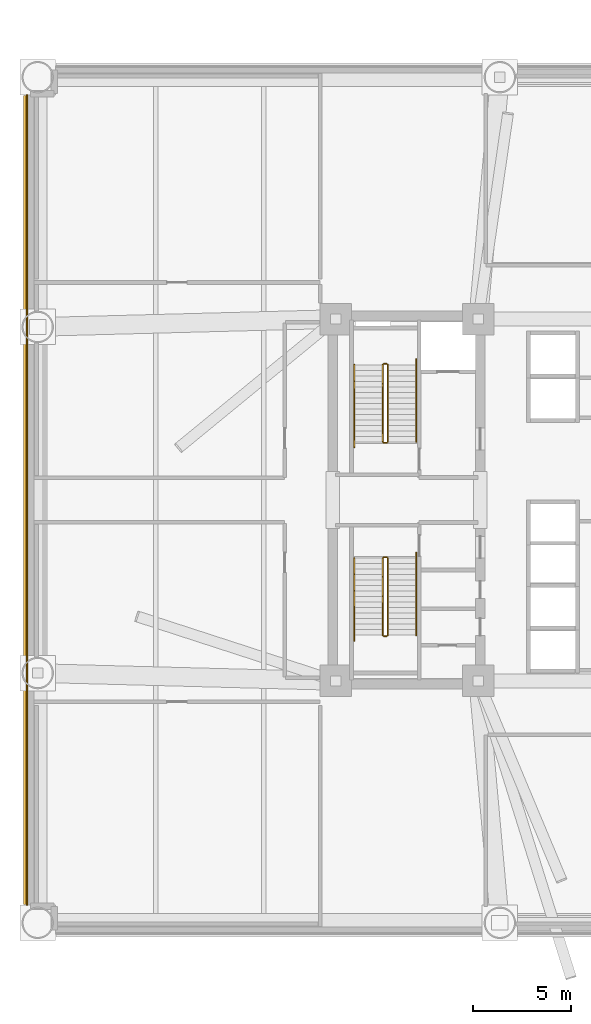
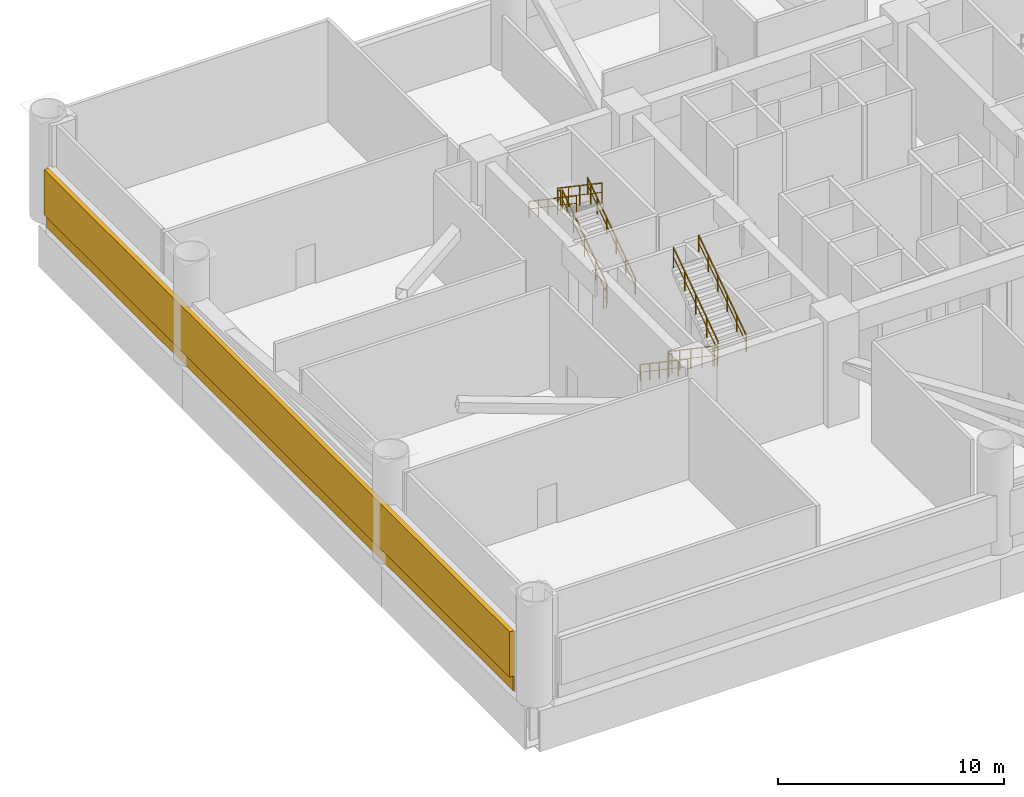
# One storey, part 8 of 10: 12 railings, 1 covering, 1 shading device.
"""IFC4 building model written with IfcOpenShell, lengths in metres."""

from ifc_helpers import new_model, si_unit, direction, frame, origin, origin_2d, place, context, subcontext, project, spatial, rectangle, extrude, source, transform, mapped, material, layer, layer_set, type_object, element, save


model = new_model("IFC4")

# Units and contexts
model_context = context("Model", 3, precision=1e-05, world=origin(), true_north=direction((0.0, 1.0)))
body_context = subcontext(model_context, "Body", "Model", "MODEL_VIEW")
ifc_project = project(units=[si_unit("LENGTHUNIT", "METRE"), si_unit("AREAUNIT", "SQUARE_METRE"), si_unit("VOLUMEUNIT", "CUBIC_METRE"), si_unit("PLANEANGLEUNIT", "RADIAN"), si_unit("MASSUNIT", "GRAM", prefix="KILO")], contexts=[model_context])

# Site, building, storey
site_placement = place(None, origin())
site = spatial("IfcSite", under=ifc_project, at=site_placement, CompositionType="ELEMENT")
building_placement = place(site_placement, origin())
building = spatial("IfcBuilding", under=site, at=building_placement, Name="Zahravan Cultural Tower", CompositionType="ELEMENT")
storey_placement = place(building_placement, frame((0.0, 0.0, 23.39990234375)))
storey = spatial("IfcBuildingStorey", under=building, at=storey_placement, Name="L04", CompositionType="ELEMENT", Elevation=23.39990234375)

# Railings
ifc_material_1 = material(Name="Steel ASTM A572 Grade 50", Category="steel")
railing_type_1 = type_object("IfcRailingType", Name="RL-STAIR-GRD1150", PredefinedType="BALUSTRADE", material=ifc_material_1)
railing_1_placement = place(storey_placement, frame((24.300048828125, 29.949951171875, 0.190185546875)))
element("IfcRailing", 1, at=railing_1_placement, inside=storey, type_object=railing_type_1, Name="L04 ST-W1 stair guard 1", PredefinedType="BALUSTRADE", context=body_context, shape_type="SweptSolid", body=[
    extrude(rectangle(XDim=0.05, YDim=0.05, at=origin_2d()), frame((0.0, 0.0, 1.0751953125), z_axis=(0.0, 0.827495442652, 0.56147243244), x_axis=(-1.0, 0.0, 0.0)), (0.0, 0.0, 1.0), 4.7373046875),
    extrude(rectangle(XDim=0.032, YDim=0.032, at=origin_2d()), frame((0.0, 0.0, 0.572021484375), z_axis=(0.0, 0.827495442652, 0.56147243244), x_axis=(-1.0, 0.0, 0.0)), (0.0, 0.0, 1.0), 4.7373046875),
    extrude(rectangle(XDim=0.04, YDim=0.04, at=origin_2d()), origin(), (0.0, 0.0, 1.0), 1.10009765625),
    extrude(rectangle(XDim=0.04, YDim=0.04, at=origin_2d()), frame((0.0, 0.97998046875, 0.6650390625)), (0.0, 0.0, 1.0), 1.10009765625),
    extrude(rectangle(XDim=0.04, YDim=0.04, at=origin_2d()), frame((0.0, 1.9599609375, 1.330078125)), (0.0, 0.0, 1.0), 1.10009765625),
    extrude(rectangle(XDim=0.04, YDim=0.04, at=origin_2d()), frame((0.0, 2.940185546875, 1.994873046875)), (0.0, 0.0, 1.0), 1.10009765625),
    extrude(rectangle(XDim=0.04, YDim=0.04, at=origin_2d()), frame((0.0, 3.920166015625, 2.659912109375)), (0.0, 0.0, 1.0), 1.10009765625),
])
railing_2_placement = place(storey_placement, frame((24.25, 33.919921875, 2.85009765625)))
element("IfcRailing", 2, at=railing_2_placement, inside=storey, type_object=railing_type_1, Name="L04 ST-W1 stair guard 2", PredefinedType="BALUSTRADE", context=body_context, shape_type="SweptSolid", body=[
    extrude(rectangle(XDim=0.05, YDim=0.05, at=origin_2d()), frame((0.0, 0.0, 1.0751953125), z_axis=(-1.0, 0.0, 0.0), x_axis=(0.0, -1.0, 0.0)), (0.0, 0.0, 1.0), 0.14990234375),
    extrude(rectangle(XDim=0.032, YDim=0.032, at=origin_2d()), frame((0.0, 0.0, 0.572021484375), z_axis=(-1.0, 0.0, 0.0), x_axis=(0.0, -1.0, 0.0)), (0.0, 0.0, 1.0), 0.14990234375),
    extrude(rectangle(XDim=0.04, YDim=0.04, at=origin_2d()), origin(), (0.0, 0.0, 1.0), 1.10009765625),
    extrude(rectangle(XDim=0.04, YDim=0.04, at=origin_2d()), frame((-0.14990234375, 0.0, 0.0)), (0.0, 0.0, 1.0), 1.10009765625),
])
railing_3_placement = place(storey_placement, frame((24.050048828125, 33.8701171875, 3.0400390625)))
element("IfcRailing", 3, at=railing_3_placement, inside=storey, type_object=railing_type_1, Name="L04 ST-W1 stair guard 3", PredefinedType="BALUSTRADE", context=body_context, shape_type="SweptSolid", body=[
    extrude(rectangle(XDim=0.05, YDim=0.05, at=origin_2d()), frame((0.0, 0.0, 1.0751953125), z_axis=(0.0, -0.827471498672, 0.561507719346), x_axis=(1.0, 0.0, 0.0)), (0.0, 0.0, 1.0), 4.737548828125),
    extrude(rectangle(XDim=0.032, YDim=0.032, at=origin_2d()), frame((0.0, 0.0, 0.572021484375), z_axis=(0.0, -0.827471498672, 0.561507719346), x_axis=(1.0, 0.0, 0.0)), (0.0, 0.0, 1.0), 4.737548828125),
    extrude(rectangle(XDim=0.04, YDim=0.04, at=origin_2d()), origin(), (0.0, 0.0, 1.0), 1.10009765625),
    extrude(rectangle(XDim=0.04, YDim=0.04, at=origin_2d()), frame((0.0, -0.97998046875, 0.6650390625)), (0.0, 0.0, 1.0), 1.10009765625),
    extrude(rectangle(XDim=0.04, YDim=0.04, at=origin_2d()), frame((0.0, -1.9599609375, 1.330078125)), (0.0, 0.0, 1.0), 1.10009765625),
    extrude(rectangle(XDim=0.04, YDim=0.04, at=origin_2d()), frame((0.0, -2.940185546875, 1.9951171875)), (0.0, 0.0, 1.0), 1.10009765625),
    extrude(rectangle(XDim=0.04, YDim=0.04, at=origin_2d()), frame((0.0, -3.920166015625, 2.66015625)), (0.0, 0.0, 1.0), 1.10009765625),
])
railing_4_placement = place(storey_placement, frame((24.25, 29.89990234375, 0.0)))
element("IfcRailing", 4, at=railing_4_placement, inside=storey, type_object=railing_type_1, Name="L04 ST-W1 stair guard 4", PredefinedType="BALUSTRADE", context=body_context, shape_type="SweptSolid", body=[
    extrude(rectangle(XDim=0.05, YDim=0.05, at=origin_2d()), frame((0.0, 0.0, 1.0751953125), z_axis=(-1.0, 0.0, 0.0), x_axis=(0.0, -1.0, 0.0)), (0.0, 0.0, 1.0), 0.14990234375),
    extrude(rectangle(XDim=0.032, YDim=0.032, at=origin_2d()), frame((0.0, 0.0, 0.572021484375), z_axis=(-1.0, 0.0, 0.0), x_axis=(0.0, -1.0, 0.0)), (0.0, 0.0, 1.0), 0.14990234375),
    extrude(rectangle(XDim=0.04, YDim=0.04, at=origin_2d()), origin(), (0.0, 0.0, 1.0), 1.10009765625),
    extrude(rectangle(XDim=0.04, YDim=0.04, at=origin_2d()), frame((-0.14990234375, 0.0, 0.0)), (0.0, 0.0, 1.0), 1.10009765625),
])
railing_5_placement = place(storey_placement, frame((24.050048828125, 24.050048828125, 0.190185546875)))
element("IfcRailing", 5, at=railing_5_placement, inside=storey, type_object=railing_type_1, Name="L04 ST-W2 stair guard 1", PredefinedType="BALUSTRADE", context=body_context, shape_type="SweptSolid", body=[
    extrude(rectangle(XDim=0.05, YDim=0.05, at=origin_2d()), frame((0.0, 0.0, 1.0751953125), z_axis=(0.0, -0.827495442652, 0.56147243244), x_axis=(1.0, 0.0, 0.0)), (0.0, 0.0, 1.0), 4.7373046875),
    extrude(rectangle(XDim=0.032, YDim=0.032, at=origin_2d()), frame((0.0, 0.0, 0.572021484375), z_axis=(0.0, -0.827495442652, 0.56147243244), x_axis=(1.0, 0.0, 0.0)), (0.0, 0.0, 1.0), 4.7373046875),
    extrude(rectangle(XDim=0.04, YDim=0.04, at=origin_2d()), origin(), (0.0, 0.0, 1.0), 1.10009765625),
    extrude(rectangle(XDim=0.04, YDim=0.04, at=origin_2d()), frame((0.0, -0.97998046875, 0.6650390625)), (0.0, 0.0, 1.0), 1.10009765625),
    extrude(rectangle(XDim=0.04, YDim=0.04, at=origin_2d()), frame((0.0, -1.9599609375, 1.330078125)), (0.0, 0.0, 1.0), 1.10009765625),
    extrude(rectangle(XDim=0.04, YDim=0.04, at=origin_2d()), frame((0.0, -2.940185546875, 1.994873046875)), (0.0, 0.0, 1.0), 1.10009765625),
    extrude(rectangle(XDim=0.04, YDim=0.04, at=origin_2d()), frame((0.0, -3.920166015625, 2.659912109375)), (0.0, 0.0, 1.0), 1.10009765625),
])
railing_6_placement = place(storey_placement, frame((24.10009765625, 20.080078125, 2.85009765625)))
element("IfcRailing", 6, at=railing_6_placement, inside=storey, type_object=railing_type_1, Name="L04 ST-W2 stair guard 2", PredefinedType="BALUSTRADE", context=body_context, shape_type="SweptSolid", body=[
    extrude(rectangle(XDim=0.05, YDim=0.05, at=origin_2d()), frame((0.0, 0.0, 1.0751953125), z_axis=(1.0, 0.0, 0.0), x_axis=(0.0, 1.0, 0.0)), (0.0, 0.0, 1.0), 0.14990234375),
    extrude(rectangle(XDim=0.032, YDim=0.032, at=origin_2d()), frame((0.0, 0.0, 0.572021484375), z_axis=(1.0, 0.0, 0.0), x_axis=(0.0, 1.0, 0.0)), (0.0, 0.0, 1.0), 0.14990234375),
    extrude(rectangle(XDim=0.04, YDim=0.04, at=origin_2d()), origin(), (0.0, 0.0, 1.0), 1.10009765625),
    extrude(rectangle(XDim=0.04, YDim=0.04, at=origin_2d()), frame((0.14990234375, 0.0, 0.0)), (0.0, 0.0, 1.0), 1.10009765625),
])
railing_7_placement = place(storey_placement, frame((24.300048828125, 20.1298828125, 3.0400390625)))
element("IfcRailing", 7, at=railing_7_placement, inside=storey, type_object=railing_type_1, Name="L04 ST-W2 stair guard 3", PredefinedType="BALUSTRADE", context=body_context, shape_type="SweptSolid", body=[
    extrude(rectangle(XDim=0.05, YDim=0.05, at=origin_2d()), frame((0.0, 0.0, 1.0751953125), z_axis=(0.0, 0.827471498672, 0.561507719346), x_axis=(-1.0, 0.0, 0.0)), (0.0, 0.0, 1.0), 4.737548828125),
    extrude(rectangle(XDim=0.032, YDim=0.032, at=origin_2d()), frame((0.0, 0.0, 0.572021484375), z_axis=(0.0, 0.827471498672, 0.561507719346), x_axis=(-1.0, 0.0, 0.0)), (0.0, 0.0, 1.0), 4.737548828125),
    extrude(rectangle(XDim=0.04, YDim=0.04, at=origin_2d()), origin(), (0.0, 0.0, 1.0), 1.10009765625),
    extrude(rectangle(XDim=0.04, YDim=0.04, at=origin_2d()), frame((0.0, 0.97998046875, 0.6650390625)), (0.0, 0.0, 1.0), 1.10009765625),
    extrude(rectangle(XDim=0.04, YDim=0.04, at=origin_2d()), frame((0.0, 1.9599609375, 1.330078125)), (0.0, 0.0, 1.0), 1.10009765625),
    extrude(rectangle(XDim=0.04, YDim=0.04, at=origin_2d()), frame((0.0, 2.940185546875, 1.9951171875)), (0.0, 0.0, 1.0), 1.10009765625),
    extrude(rectangle(XDim=0.04, YDim=0.04, at=origin_2d()), frame((0.0, 3.920166015625, 2.66015625)), (0.0, 0.0, 1.0), 1.10009765625),
])
railing_8_placement = place(storey_placement, frame((24.10009765625, 24.10009765625, 0.0)))
element("IfcRailing", 8, at=railing_8_placement, inside=storey, type_object=railing_type_1, Name="L04 ST-W2 stair guard 4", PredefinedType="BALUSTRADE", context=body_context, shape_type="SweptSolid", body=[
    extrude(rectangle(XDim=0.05, YDim=0.05, at=origin_2d()), frame((0.0, 0.0, 1.0751953125), z_axis=(1.0, 0.0, 0.0), x_axis=(0.0, 1.0, 0.0)), (0.0, 0.0, 1.0), 0.14990234375),
    extrude(rectangle(XDim=0.032, YDim=0.032, at=origin_2d()), frame((0.0, 0.0, 0.572021484375), z_axis=(1.0, 0.0, 0.0), x_axis=(0.0, 1.0, 0.0)), (0.0, 0.0, 1.0), 0.14990234375),
    extrude(rectangle(XDim=0.04, YDim=0.04, at=origin_2d()), origin(), (0.0, 0.0, 1.0), 1.10009765625),
    extrude(rectangle(XDim=0.04, YDim=0.04, at=origin_2d()), frame((0.14990234375, 0.0, 0.0)), (0.0, 0.0, 1.0), 1.10009765625),
])
railing_type_2 = type_object("IfcRailingType", Name="RL-STAIR-HR900", PredefinedType="HANDRAIL", material=ifc_material_1)
railing_9_placement = place(storey_placement, frame((25.75, 29.949951171875, 0.190185546875)))
element("IfcRailing", 9, at=railing_9_placement, inside=storey, type_object=railing_type_2, Name="L04 ST-W1 stair handrail 1", PredefinedType="HANDRAIL", context=body_context, shape_type="SweptSolid", body=[
    extrude(rectangle(XDim=0.05, YDim=0.05, at=origin_2d()), frame((0.0, 0.0, 0.875), z_axis=(0.0, 0.827486150682, 0.561486126659), x_axis=(-1.0, 0.0, 0.0)), (0.0, 0.0, 1.0), 5.075439453125),
    extrude(rectangle(XDim=0.032, YDim=0.032, at=origin_2d()), frame((0.0, 0.0, 0.468017578125), z_axis=(0.0, 0.827486150682, 0.561486126659), x_axis=(-1.0, 0.0, 0.0)), (0.0, 0.0, 1.0), 5.075439453125),
    extrude(rectangle(XDim=0.04, YDim=0.04, at=origin_2d()), origin(), (0.0, 0.0, 1.0), 0.89990234375),
    extrude(rectangle(XDim=0.04, YDim=0.04, at=origin_2d()), frame((0.0, 0.840087890625, 0.570068359375)), (0.0, 0.0, 1.0), 0.89990234375),
    extrude(rectangle(XDim=0.04, YDim=0.04, at=origin_2d()), frame((0.0, 1.679931640625, 1.139892578125)), (0.0, 0.0, 1.0), 0.89990234375),
    extrude(rectangle(XDim=0.04, YDim=0.04, at=origin_2d()), frame((0.0, 2.52001953125, 1.7099609375)), (0.0, 0.0, 1.0), 0.89990234375),
    extrude(rectangle(XDim=0.04, YDim=0.04, at=origin_2d()), frame((0.0, 3.35986328125, 2.27978515625)), (0.0, 0.0, 1.0), 0.89990234375),
    extrude(rectangle(XDim=0.04, YDim=0.04, at=origin_2d()), frame((0.0, 4.199951171875, 2.849853515625)), (0.0, 0.0, 1.0), 0.89990234375),
])
railing_10_placement = place(storey_placement, frame((22.60009765625, 33.8701171875, 3.0400390625)))
element("IfcRailing", 10, at=railing_10_placement, inside=storey, type_object=railing_type_2, Name="L04 ST-W1 stair handrail 2", PredefinedType="HANDRAIL", context=body_context, shape_type="SweptSolid", body=[
    extrude(rectangle(XDim=0.05, YDim=0.05, at=origin_2d()), frame((0.0, 0.0, 0.875), z_axis=(0.0, -0.827478966913, 0.56149671354), x_axis=(1.0, 0.0, 0.0)), (0.0, 0.0, 1.0), 5.075927734375),
    extrude(rectangle(XDim=0.032, YDim=0.032, at=origin_2d()), frame((0.0, 0.0, 0.468017578125), z_axis=(0.0, -0.827478966913, 0.56149671354), x_axis=(1.0, 0.0, 0.0)), (0.0, 0.0, 1.0), 5.075927734375),
    extrude(rectangle(XDim=0.04, YDim=0.04, at=origin_2d()), origin(), (0.0, 0.0, 1.0), 0.89990234375),
    extrude(rectangle(XDim=0.04, YDim=0.04, at=origin_2d()), frame((0.0, -0.840087890625, 0.570068359375)), (0.0, 0.0, 1.0), 0.89990234375),
    extrude(rectangle(XDim=0.04, YDim=0.04, at=origin_2d()), frame((0.0, -1.68017578125, 1.14013671875)), (0.0, 0.0, 1.0), 0.89990234375),
    extrude(rectangle(XDim=0.04, YDim=0.04, at=origin_2d()), frame((0.0, -2.52001953125, 1.7099609375)), (0.0, 0.0, 1.0), 0.89990234375),
    extrude(rectangle(XDim=0.04, YDim=0.04, at=origin_2d()), frame((0.0, -3.360107421875, 2.280029296875)), (0.0, 0.0, 1.0), 0.89990234375),
    extrude(rectangle(XDim=0.04, YDim=0.04, at=origin_2d()), frame((0.0, -4.2001953125, 2.85009765625)), (0.0, 0.0, 1.0), 0.89990234375),
])
railing_11_placement = place(storey_placement, frame((22.60009765625, 24.050048828125, 0.190185546875)))
element("IfcRailing", 11, at=railing_11_placement, inside=storey, type_object=railing_type_2, Name="L04 ST-W2 stair handrail 1", PredefinedType="HANDRAIL", context=body_context, shape_type="SweptSolid", body=[
    extrude(rectangle(XDim=0.05, YDim=0.05, at=origin_2d()), frame((0.0, 0.0, 0.875), z_axis=(0.0, -0.827486150682, 0.561486126659), x_axis=(1.0, 0.0, 0.0)), (0.0, 0.0, 1.0), 5.075439453125),
    extrude(rectangle(XDim=0.032, YDim=0.032, at=origin_2d()), frame((0.0, 0.0, 0.468017578125), z_axis=(0.0, -0.827486150682, 0.561486126659), x_axis=(1.0, 0.0, 0.0)), (0.0, 0.0, 1.0), 5.075439453125),
    extrude(rectangle(XDim=0.04, YDim=0.04, at=origin_2d()), origin(), (0.0, 0.0, 1.0), 0.89990234375),
    extrude(rectangle(XDim=0.04, YDim=0.04, at=origin_2d()), frame((0.0, -0.840087890625, 0.570068359375)), (0.0, 0.0, 1.0), 0.89990234375),
    extrude(rectangle(XDim=0.04, YDim=0.04, at=origin_2d()), frame((0.0, -1.679931640625, 1.139892578125)), (0.0, 0.0, 1.0), 0.89990234375),
    extrude(rectangle(XDim=0.04, YDim=0.04, at=origin_2d()), frame((0.0, -2.52001953125, 1.7099609375)), (0.0, 0.0, 1.0), 0.89990234375),
    extrude(rectangle(XDim=0.04, YDim=0.04, at=origin_2d()), frame((0.0, -3.35986328125, 2.27978515625)), (0.0, 0.0, 1.0), 0.89990234375),
    extrude(rectangle(XDim=0.04, YDim=0.04, at=origin_2d()), frame((0.0, -4.199951171875, 2.849853515625)), (0.0, 0.0, 1.0), 0.89990234375),
])
railing_12_placement = place(storey_placement, frame((25.75, 20.1298828125, 3.0400390625)))
element("IfcRailing", 12, at=railing_12_placement, inside=storey, type_object=railing_type_2, Name="L04 ST-W2 stair handrail 2", PredefinedType="HANDRAIL", context=body_context, shape_type="SweptSolid", body=[
    extrude(rectangle(XDim=0.05, YDim=0.05, at=origin_2d()), frame((0.0, 0.0, 0.875), z_axis=(0.0, 0.827478966913, 0.56149671354), x_axis=(-1.0, 0.0, 0.0)), (0.0, 0.0, 1.0), 5.075927734375),
    extrude(rectangle(XDim=0.032, YDim=0.032, at=origin_2d()), frame((0.0, 0.0, 0.468017578125), z_axis=(0.0, 0.827478966913, 0.56149671354), x_axis=(-1.0, 0.0, 0.0)), (0.0, 0.0, 1.0), 5.075927734375),
    extrude(rectangle(XDim=0.04, YDim=0.04, at=origin_2d()), origin(), (0.0, 0.0, 1.0), 0.89990234375),
    extrude(rectangle(XDim=0.04, YDim=0.04, at=origin_2d()), frame((0.0, 0.840087890625, 0.570068359375)), (0.0, 0.0, 1.0), 0.89990234375),
    extrude(rectangle(XDim=0.04, YDim=0.04, at=origin_2d()), frame((0.0, 1.68017578125, 1.14013671875)), (0.0, 0.0, 1.0), 0.89990234375),
    extrude(rectangle(XDim=0.04, YDim=0.04, at=origin_2d()), frame((0.0, 2.52001953125, 1.7099609375)), (0.0, 0.0, 1.0), 0.89990234375),
    extrude(rectangle(XDim=0.04, YDim=0.04, at=origin_2d()), frame((0.0, 3.360107421875, 2.280029296875)), (0.0, 0.0, 1.0), 0.89990234375),
    extrude(rectangle(XDim=0.04, YDim=0.04, at=origin_2d()), frame((0.0, 4.2001953125, 2.85009765625)), (0.0, 0.0, 1.0), 0.89990234375),
])

# Covering
ifc_material_2 = material(Name="Terracotta ceramic cladding", Category="masonry")
ifc_layer = layer(ifc_material_2, 0.06005859375)
ifc_layer_set = layer_set([ifc_layer], Name="Terracotta ceramic cladding")
covering_type = type_object("IfcCoveringType", Name="COV-CLAD-TC60", PredefinedType="CLADDING", material=ifc_layer_set)
shared_shape_1 = source(origin(), body_context, "Body", "SweptSolid", [
    extrude(rectangle(XDim=41.219970703125, YDim=0.06005859375, at=origin_2d()), origin(), (0.0, 0.0, 1.0), 0.760009765625),
])
covering_placement = place(storey_placement, frame((5.955078125, 27.0, 0.02001953125), z_axis=(0.0, 0.0, 1.0), x_axis=(0.0, 1.0, 0.0)))
element("IfcCovering", 13, at=covering_placement, inside=storey, type_object=covering_type, Name="L04 Terracotta Spandrel Cladding 07", PredefinedType="CLADDING", context=body_context, shape_type="MappedRepresentation", body=[
    mapped(shared_shape_1, transform((0.0, 0.0, 0.0), x_axis=(1.0, 0.0, 0.0), y_axis=(0.0, 1.0, 0.0), z_axis=(0.0, 0.0, 1.0), scale=1.0)),
])

# Shading device
ifc_material_3 = material(Name="Architectural terracotta fin", Category="masonry")
shading_device_type = type_object("IfcShadingDeviceType", Name="SHD-LOUVRE-BAND", PredefinedType="JALOUSIE", material=ifc_material_3)
shared_shape_2 = source(origin(), body_context, "Body", "SweptSolid", [
    extrude(rectangle(XDim=41.1201171875, YDim=0.239990234375, at=origin_2d()), origin(), (0.0, 0.0, 1.0), 2.44189453125),
])
shading_device_placement = place(storey_placement, frame((5.889892578125, 27.0, 0.780029296875), z_axis=(0.0, 0.0, 1.0), x_axis=(0.0, 1.0, 0.0)))
element("IfcShadingDevice", 14, at=shading_device_placement, inside=storey, type_object=shading_device_type, Name="L04 Terracotta Acoustic Louvre 03", PredefinedType="JALOUSIE", context=body_context, shape_type="MappedRepresentation", body=[
    mapped(shared_shape_2, transform((0.0, 0.0, 0.0), x_axis=(1.0, 0.0, 0.0), y_axis=(0.0, 1.0, 0.0), z_axis=(0.0, 0.0, 1.0), scale=1.0)),
])

save(model, "model.ifc")
